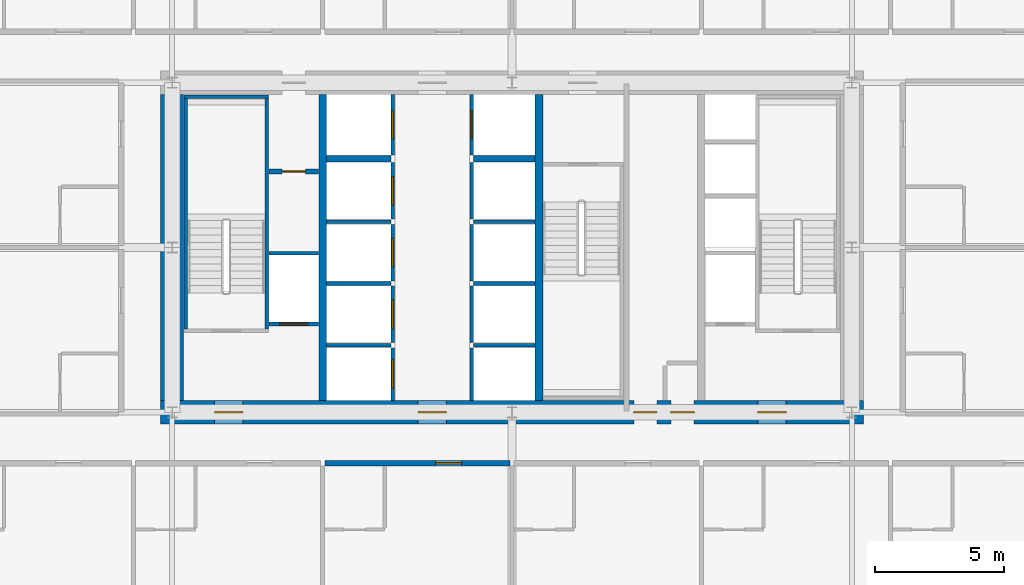
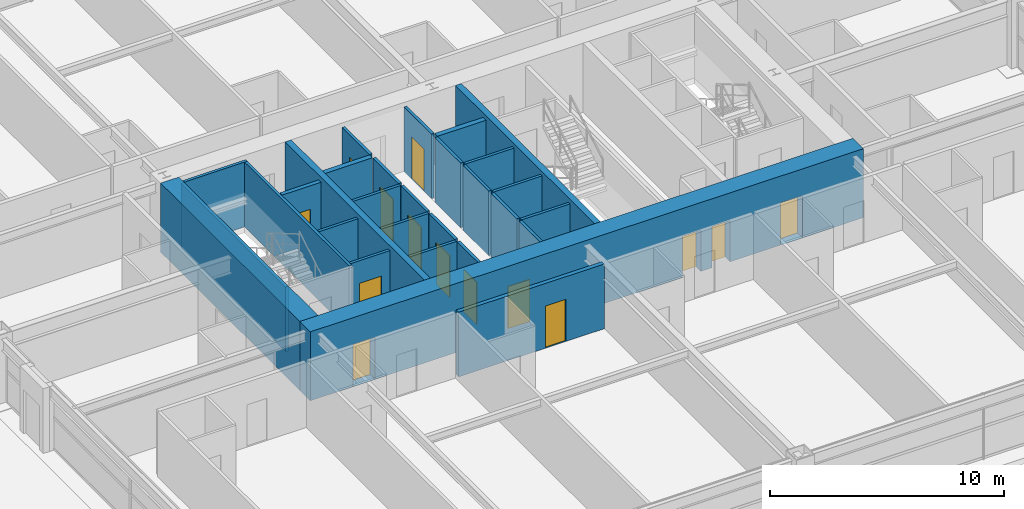
# One storey, part 39 of 45: 29 walls, 14 doors, 14 openings.
"""IFC4 building model written with IfcOpenShell, lengths in metres."""

from ifc_helpers import new_model, si_unit, direction, frame, frame_2d, origin, place, context, subcontext, project, spatial, rectangle, extrude, source, transform, mapped, material, layer, layer_set, type_object, element, fill, save


model = new_model("IFC4")

# Units and contexts
model_context = context("Model", 3, precision=1e-05, world=origin(), true_north=direction((0.0, 1.0)))
body_context = subcontext(model_context, "Body", "Model", "MODEL_VIEW")
ifc_project = project(units=[si_unit("LENGTHUNIT", "METRE"), si_unit("AREAUNIT", "SQUARE_METRE"), si_unit("VOLUMEUNIT", "CUBIC_METRE"), si_unit("PLANEANGLEUNIT", "RADIAN"), si_unit("MASSUNIT", "GRAM", prefix="KILO"), si_unit("THERMODYNAMICTEMPERATUREUNIT", "KELVIN"), si_unit("POWERUNIT", "WATT")], contexts=[model_context])

# Site, building, storey
site_placement = place(None, origin())
site = spatial("IfcSite", under=ifc_project, at=site_placement, CompositionType="ELEMENT")
building_placement = place(site_placement, origin())
building = spatial("IfcBuilding", under=site, at=building_placement, Name="Yuzanri Waterfront Tower", CompositionType="ELEMENT")
storey_placement = place(building_placement, frame((0.0, 0.0, 30.60009765625)))
storey = spatial("IfcBuildingStorey", under=building, at=storey_placement, Name="L07", CompositionType="ELEMENT", Elevation=30.60009765625)

# Wall, openings, doors
ifc_material_1 = material(Name="Concrete C60", Category="concrete")
ifc_layer_1 = layer(ifc_material_1, 0.89990234375)
ifc_layer_set_1 = layer_set([ifc_layer_1], Name="Concrete C60")
wall_type_1 = type_object("IfcWallType", Name="Concrete C60 Lower Zone Core Shear Wall 900", PredefinedType="SHEAR", material=ifc_layer_set_1)
wall_1_placement = place(storey_placement, frame((23.35009765625, 19.39990234375, 0.0), z_axis=(0.0, 0.0, 1.0), x_axis=(1.0, 0.0, 0.0)))
wall_1 = element("IfcWall", 1, at=wall_1_placement, inside=storey, type_object=wall_type_1, Name="L07 Core South Shear Wall", PredefinedType="SHEAR", context=body_context, shape_type="SweptSolid", body=[
    extrude(rectangle(XDim=27.2998046875, YDim=0.89990234375, at=frame_2d((13.64990234375, 0.0))), origin(), (0.0, 0.0, 1.0), 3.599853515625),
])
opening_1_placement = place(wall_1_placement, frame((2.10009765625, 0.0, 0.0)))
opening_1 = element("IfcOpeningElement", 2, at=opening_1_placement, cuts=wall_1, Name="Opening FD-1100", PredefinedType="OPENING", context=body_context, shape_type="SweptSolid", body=[
    extrude(rectangle(XDim=1.10009765625, YDim=2.199951171875, at=frame_2d((0.550048828125, 1.10009765625))), frame((0.0, 0.46484375, 0.0), z_axis=(0.0, -1.0, 0.0), x_axis=(1.0, 0.0, 0.0)), (0.0, 0.0, 1.0), 0.9296875),
])
opening_2_placement = place(wall_1_placement, frame((10.0, 0.0, 0.0)))
opening_2 = element("IfcOpeningElement", 3, at=opening_2_placement, cuts=wall_1, Name="Opening FD-1100", PredefinedType="OPENING", context=body_context, shape_type="SweptSolid", body=[
    extrude(rectangle(XDim=1.10009765625, YDim=2.199951171875, at=frame_2d((0.550048828125, 1.10009765625))), frame((0.0, 0.46484375, 0.0), z_axis=(0.0, -1.0, 0.0), x_axis=(1.0, 0.0, 0.0)), (0.0, 0.0, 1.0), 0.9296875),
])
opening_3_placement = place(wall_1_placement, frame((23.199951171875, 0.0, 0.0)))
opening_3 = element("IfcOpeningElement", 4, at=opening_3_placement, cuts=wall_1, Name="Opening FD-1100", PredefinedType="OPENING", context=body_context, shape_type="SweptSolid", body=[
    extrude(rectangle(XDim=1.10009765625, YDim=2.199951171875, at=frame_2d((0.550048828125, 1.10009765625))), frame((0.0, 0.46484375, 0.0), z_axis=(0.0, -1.0, 0.0), x_axis=(1.0, 0.0, 0.0)), (0.0, 0.0, 1.0), 0.9296875),
])
opening_4_placement = place(wall_1_placement, frame((19.820068359375, 0.0, 0.0)))
opening_4 = element("IfcOpeningElement", 5, at=opening_4_placement, cuts=wall_1, Name="Opening FD-0900", PredefinedType="OPENING", context=body_context, shape_type="SweptSolid", body=[
    extrude(rectangle(XDim=0.89990234375, YDim=2.14990234375, at=frame_2d((0.449951171875, 1.074951171875))), frame((0.0, 0.46484375, 0.0), z_axis=(0.0, -1.0, 0.0), x_axis=(1.0, 0.0, 0.0)), (0.0, 0.0, 1.0), 0.9296875),
])
opening_5_placement = place(wall_1_placement, frame((18.3798828125, 0.0, 0.0)))
opening_5 = element("IfcOpeningElement", 6, at=opening_5_placement, cuts=wall_1, Name="Opening FD-0900", PredefinedType="OPENING", context=body_context, shape_type="SweptSolid", body=[
    extrude(rectangle(XDim=0.89990234375, YDim=2.14990234375, at=frame_2d((0.449951171875, 1.074951171875))), frame((0.0, 0.46484375, 0.0), z_axis=(0.0, -1.0, 0.0), x_axis=(1.0, 0.0, 0.0)), (0.0, 0.0, 1.0), 0.9296875),
])
ifc_material_2 = material(Name="Painted Galvanized Fire Steel", Category="steel")
door_type_1 = type_object("IfcDoorType", Name="Smoke-Proof Stair and Lobby Fire Door 1100x2200", OperationType="NOTDEFINED", PredefinedType="DOOR", material=ifc_material_2)
shared_shape_1 = source(origin(), body_context, "Body", "SweptSolid", [
    extrude(rectangle(XDim=1.10009765625, YDim=2.199951171875, at=frame_2d((0.550048828125, 1.10009765625))), frame((0.0, 0.02490234375, 0.0), z_axis=(0.0, -1.0, 0.0), x_axis=(1.0, 0.0, 0.0)), (0.0, 0.0, 1.0), 0.050048828125),
])
door_1_placement = place(opening_1_placement, origin())
door_1 = element("IfcDoor", 7, at=door_1_placement, inside=storey, type_object=door_type_1, Name="L07 West Firefighting Lobby Door", OperationType="SINGLE_SWING_LEFT", OverallHeight=2.199951171875, OverallWidth=1.10009765625, PredefinedType="DOOR", context=body_context, shape_type="MappedRepresentation", body=[
    mapped(shared_shape_1, transform((0.0, 0.0, 0.0), scale=1.0)),
])
fill(opening_1, door_1)
door_2_placement = place(opening_2_placement, origin())
door_2 = element("IfcDoor", 8, at=door_2_placement, inside=storey, type_object=door_type_1, Name="L07 Central Lift Lobby South Door", OperationType="SINGLE_SWING_RIGHT", OverallHeight=2.199951171875, OverallWidth=1.10009765625, PredefinedType="DOOR", context=body_context, shape_type="MappedRepresentation", body=[
    mapped(shared_shape_1, transform((0.0, 0.0, 0.0), scale=1.0)),
])
fill(opening_2, door_2)
door_3_placement = place(opening_3_placement, origin())
door_3 = element("IfcDoor", 9, at=door_3_placement, inside=storey, type_object=door_type_1, Name="L07 East Firefighting Lobby Door", OperationType="SINGLE_SWING_LEFT", OverallHeight=2.199951171875, OverallWidth=1.10009765625, PredefinedType="DOOR", context=body_context, shape_type="MappedRepresentation", body=[
    mapped(shared_shape_1, transform((0.0, 0.0, 0.0), scale=1.0)),
])
fill(opening_3, door_3)
ifc_material_3 = material(Name="Painted Galvanized Fire Steel", Category="steel")
door_type_2 = type_object("IfcDoorType", Name="Riser and Service Room Fire Door 900x2150", OperationType="NOTDEFINED", PredefinedType="DOOR", material=ifc_material_3)
shared_shape_2 = source(origin(), body_context, "Body", "SweptSolid", [
    extrude(rectangle(XDim=0.89990234375, YDim=2.14990234375, at=frame_2d((0.449951171875, 1.074951171875))), frame((0.0, 0.02490234375, 0.0), z_axis=(0.0, -1.0, 0.0), x_axis=(1.0, 0.0, 0.0)), (0.0, 0.0, 1.0), 0.050048828125),
])
door_4_placement = place(opening_4_placement, origin())
door_4 = element("IfcDoor", 10, at=door_4_placement, inside=storey, type_object=door_type_2, Name="L07 East Wet Riser Door", OperationType="SINGLE_SWING_RIGHT", OverallHeight=2.14990234375, OverallWidth=0.89990234375, PredefinedType="DOOR", context=body_context, shape_type="MappedRepresentation", body=[
    mapped(shared_shape_2, transform((0.0, 0.0, 0.0), scale=1.0)),
])
fill(opening_4, door_4)
door_5_placement = place(opening_5_placement, origin())
door_5 = element("IfcDoor", 11, at=door_5_placement, inside=storey, type_object=door_type_2, Name="L07 Housekeeping Room", OperationType="SINGLE_SWING_LEFT", OverallHeight=2.14990234375, OverallWidth=0.89990234375, PredefinedType="DOOR", context=body_context, shape_type="MappedRepresentation", body=[
    mapped(shared_shape_2, transform((0.0, 0.0, 0.0), scale=1.0)),
])
fill(opening_5, door_5)

# Wall, opening, door
ifc_material_4 = material(Name="Concrete C40", Category="concrete")
ifc_layer_2 = layer(ifc_material_4, 0.139892578125)
ifc_layer_set_2 = layer_set([ifc_layer_2], Name="Concrete C40")
wall_type_2 = type_object("IfcWallType", Name="Core Stair Liner and Hoistway Shaft Wall 140", PredefinedType="SOLIDWALL", material=ifc_layer_set_2)
wall_2_placement = place(storey_placement, frame((27.56005859375, 22.830078125, 0.0), z_axis=(0.0, 0.0, 1.0), x_axis=(1.0, 0.0, 0.0)))
wall_2 = element("IfcWall", 12, at=wall_2_placement, inside=storey, type_object=wall_type_2, Name="L07 Lift FL-01 Front Shaft Wall", PredefinedType="SOLIDWALL", context=body_context, shape_type="SweptSolid", body=[
    extrude(rectangle(XDim=1.919921875, YDim=0.139892578125, at=frame_2d((0.9599609375, 0.0))), origin(), (0.0, 0.0, 1.0), 3.3798828125),
])
opening_6_placement = place(wall_2_placement, frame((0.409912109375, 0.0, 0.0)))
opening_6 = element("IfcOpeningElement", 13, at=opening_6_placement, cuts=wall_2, Name="Opening LD-FL-01", PredefinedType="OPENING", context=body_context, shape_type="SweptSolid", body=[
    extrude(rectangle(XDim=1.10009765625, YDim=2.199951171875, at=frame_2d((0.550048828125, 1.10009765625))), frame((0.0, 0.0849609375, 0.0), z_axis=(0.0, -1.0, 0.0), x_axis=(1.0, 0.0, 0.0)), (0.0, 0.0, 1.0), 0.169677734375),
])
ifc_material_5 = material(Name="Brushed Bronze and Stainless Steel Cab", Category="steel")
door_type_3 = type_object("IfcDoorType", Name="Center-Parting Bronze Lift Landing Sliding Door 1100x2200", OperationType="NOTDEFINED", PredefinedType="DOOR", material=ifc_material_5)
shared_shape_3 = source(origin(), body_context, "Body", "SweptSolid", [
    extrude(rectangle(XDim=1.10009765625, YDim=2.199951171875, at=frame_2d((0.550048828125, 1.10009765625))), frame((0.0, 0.02490234375, 0.0), z_axis=(0.0, -1.0, 0.0), x_axis=(1.0, 0.0, 0.0)), (0.0, 0.0, 1.0), 0.050048828125),
])
door_6_placement = place(opening_6_placement, origin())
door_6 = element("IfcDoor", 14, at=door_6_placement, inside=storey, type_object=door_type_3, Name="L07 FL-01 Lift Landing Sliding Door", OperationType="SLIDING_TO_LEFT", OverallHeight=2.199951171875, OverallWidth=1.10009765625, PredefinedType="DOOR", context=body_context, shape_type="MappedRepresentation", body=[
    mapped(shared_shape_3, transform((0.0, 0.0, 0.0), scale=1.0)),
])
fill(opening_6, door_6)

wall_3_placement = place(storey_placement, frame((32.3701171875, 19.860107421875, 0.0), z_axis=(0.0, 0.0, 1.0), x_axis=(0.0, 1.0, 0.0)))
wall_3 = element("IfcWall", 15, at=wall_3_placement, inside=storey, type_object=wall_type_2, Name="L07 Lift PL-01 Front Shaft Wall", PredefinedType="SOLIDWALL", context=body_context, shape_type="SweptSolid", body=[
    extrude(rectangle(XDim=2.039794921875, YDim=0.139892578125, at=frame_2d((1.02001953125, 0.0))), origin(), (0.0, 0.0, 1.0), 3.3798828125),
])
opening_7_placement = place(wall_3_placement, frame((0.469970703125, 0.0, 0.0)))
opening_7 = element("IfcOpeningElement", 16, at=opening_7_placement, cuts=wall_3, Name="Opening LD-PL-01", PredefinedType="OPENING", context=body_context, shape_type="SweptSolid", body=[
    extrude(rectangle(XDim=1.10009765625, YDim=2.199951171875, at=frame_2d((0.550048828125, 1.10009765625))), frame((0.0, 0.0849609375, 0.0), z_axis=(0.0, -1.0, 0.0), x_axis=(1.0, 0.0, 0.0)), (0.0, 0.0, 1.0), 0.169677734375),
])
door_7_placement = place(opening_7_placement, origin())
door_7 = element("IfcDoor", 17, at=door_7_placement, inside=storey, type_object=door_type_3, Name="L07 PL-01 Lift Landing Sliding Door", OperationType="SLIDING_TO_LEFT", OverallHeight=2.199951171875, OverallWidth=1.10009765625, PredefinedType="DOOR", context=body_context, shape_type="MappedRepresentation", body=[
    mapped(shared_shape_3, transform((0.0, 0.0, 0.0), scale=1.0)),
])
fill(opening_7, door_7)

wall_4_placement = place(storey_placement, frame((32.3701171875, 22.10009765625, 0.0), z_axis=(0.0, 0.0, 1.0), x_axis=(0.0, 1.0, 0.0)))
wall_4 = element("IfcWall", 18, at=wall_4_placement, inside=storey, type_object=wall_type_2, Name="L07 Lift PL-02 Front Shaft Wall", PredefinedType="SOLIDWALL", context=body_context, shape_type="SweptSolid", body=[
    extrude(rectangle(XDim=2.199951171875, YDim=0.139892578125, at=frame_2d((1.10009765625, 0.0))), origin(), (0.0, 0.0, 1.0), 3.3798828125),
])
opening_8_placement = place(wall_4_placement, frame((0.550048828125, 0.0, 0.0)))
opening_8 = element("IfcOpeningElement", 19, at=opening_8_placement, cuts=wall_4, Name="Opening LD-PL-02", PredefinedType="OPENING", context=body_context, shape_type="SweptSolid", body=[
    extrude(rectangle(XDim=1.10009765625, YDim=2.199951171875, at=frame_2d((0.550048828125, 1.10009765625))), frame((0.0, 0.0849609375, 0.0), z_axis=(0.0, -1.0, 0.0), x_axis=(1.0, 0.0, 0.0)), (0.0, 0.0, 1.0), 0.169677734375),
])
door_8_placement = place(opening_8_placement, origin())
door_8 = element("IfcDoor", 20, at=door_8_placement, inside=storey, type_object=door_type_3, Name="L07 PL-02 Lift Landing Sliding Door", OperationType="SLIDING_TO_RIGHT", OverallHeight=2.199951171875, OverallWidth=1.10009765625, PredefinedType="DOOR", context=body_context, shape_type="MappedRepresentation", body=[
    mapped(shared_shape_3, transform((0.0, 0.0, 0.0), scale=1.0)),
])
fill(opening_8, door_8)

wall_5_placement = place(storey_placement, frame((32.3701171875, 24.5, 0.0), z_axis=(0.0, 0.0, 1.0), x_axis=(0.0, 1.0, 0.0)))
wall_5 = element("IfcWall", 21, at=wall_5_placement, inside=storey, type_object=wall_type_2, Name="L07 Lift PL-03 Front Shaft Wall", PredefinedType="SOLIDWALL", context=body_context, shape_type="SweptSolid", body=[
    extrude(rectangle(XDim=2.199951171875, YDim=0.139892578125, at=frame_2d((1.10009765625, 0.0))), origin(), (0.0, 0.0, 1.0), 3.3798828125),
])
opening_9_placement = place(wall_5_placement, frame((0.550048828125, 0.0, 0.0)))
opening_9 = element("IfcOpeningElement", 22, at=opening_9_placement, cuts=wall_5, Name="Opening LD-PL-03", PredefinedType="OPENING", context=body_context, shape_type="SweptSolid", body=[
    extrude(rectangle(XDim=1.10009765625, YDim=2.199951171875, at=frame_2d((0.550048828125, 1.10009765625))), frame((0.0, 0.0849609375, 0.0), z_axis=(0.0, -1.0, 0.0), x_axis=(1.0, 0.0, 0.0)), (0.0, 0.0, 1.0), 0.169677734375),
])
door_9_placement = place(opening_9_placement, origin())
door_9 = element("IfcDoor", 23, at=door_9_placement, inside=storey, type_object=door_type_3, Name="L07 PL-03 Lift Landing Sliding Door", OperationType="SLIDING_TO_LEFT", OverallHeight=2.199951171875, OverallWidth=1.10009765625, PredefinedType="DOOR", context=body_context, shape_type="MappedRepresentation", body=[
    mapped(shared_shape_3, transform((0.0, 0.0, 0.0), scale=1.0)),
])
fill(opening_9, door_9)

wall_6_placement = place(storey_placement, frame((32.3701171875, 26.89990234375, 0.0), z_axis=(0.0, 0.0, 1.0), x_axis=(0.0, 1.0, 0.0)))
wall_6 = element("IfcWall", 24, at=wall_6_placement, inside=storey, type_object=wall_type_2, Name="L07 Lift PL-04 Front Shaft Wall", PredefinedType="SOLIDWALL", context=body_context, shape_type="SweptSolid", body=[
    extrude(rectangle(XDim=2.2001953125, YDim=0.139892578125, at=frame_2d((1.10009765625, 0.0))), origin(), (0.0, 0.0, 1.0), 3.3798828125),
])
opening_10_placement = place(wall_6_placement, frame((0.550048828125, 0.0, 0.0)))
opening_10 = element("IfcOpeningElement", 25, at=opening_10_placement, cuts=wall_6, Name="Opening LD-PL-04", PredefinedType="OPENING", context=body_context, shape_type="SweptSolid", body=[
    extrude(rectangle(XDim=1.10009765625, YDim=2.199951171875, at=frame_2d((0.550048828125, 1.10009765625))), frame((0.0, 0.0849609375, 0.0), z_axis=(0.0, -1.0, 0.0), x_axis=(1.0, 0.0, 0.0)), (0.0, 0.0, 1.0), 0.169677734375),
])
door_10_placement = place(opening_10_placement, origin())
door_10 = element("IfcDoor", 26, at=door_10_placement, inside=storey, type_object=door_type_3, Name="L07 PL-04 Lift Landing Sliding Door", OperationType="SLIDING_TO_RIGHT", OverallHeight=2.199951171875, OverallWidth=1.10009765625, PredefinedType="DOOR", context=body_context, shape_type="MappedRepresentation", body=[
    mapped(shared_shape_3, transform((0.0, 0.0, 0.0), scale=1.0)),
])
fill(opening_10, door_10)

wall_7_placement = place(storey_placement, frame((32.3701171875, 29.39990234375, 0.0), z_axis=(0.0, 0.0, 1.0), x_axis=(0.0, 1.0, 0.0)))
wall_7 = element("IfcWall", 27, at=wall_7_placement, inside=storey, type_object=wall_type_2, Name="L07 Lift SL-01 Front Shaft Wall", PredefinedType="SOLIDWALL", context=body_context, shape_type="SweptSolid", body=[
    extrude(rectangle(XDim=2.340087890625, YDim=0.139892578125, at=frame_2d((1.169921875, 0.0))), origin(), (0.0, 0.0, 1.0), 3.3798828125),
])
opening_11_placement = place(wall_7_placement, frame((0.6201171875, 0.0, 0.0)))
opening_11 = element("IfcOpeningElement", 28, at=opening_11_placement, cuts=wall_7, Name="Opening LD-SL-01", PredefinedType="OPENING", context=body_context, shape_type="SweptSolid", body=[
    extrude(rectangle(XDim=1.10009765625, YDim=2.199951171875, at=frame_2d((0.550048828125, 1.10009765625))), frame((0.0, 0.0849609375, 0.0), z_axis=(0.0, -1.0, 0.0), x_axis=(1.0, 0.0, 0.0)), (0.0, 0.0, 1.0), 0.169677734375),
])
door_11_placement = place(opening_11_placement, origin())
door_11 = element("IfcDoor", 29, at=door_11_placement, inside=storey, type_object=door_type_3, Name="L07 SL-01 Lift Landing Sliding Door", OperationType="SLIDING_TO_LEFT", OverallHeight=2.199951171875, OverallWidth=1.10009765625, PredefinedType="DOOR", context=body_context, shape_type="MappedRepresentation", body=[
    mapped(shared_shape_3, transform((0.0, 0.0, 0.0), scale=1.0)),
])
fill(opening_11, door_11)

wall_8_placement = place(storey_placement, frame((35.429931640625, 29.39990234375, 0.0), z_axis=(0.0, 0.0, 1.0), x_axis=(0.0, 1.0, 0.0)))
wall_8 = element("IfcWall", 30, at=wall_8_placement, inside=storey, type_object=wall_type_2, Name="L07 Lift SL-02 Front Shaft Wall", PredefinedType="SOLIDWALL", context=body_context, shape_type="SweptSolid", body=[
    extrude(rectangle(XDim=2.340087890625, YDim=0.139892578125, at=frame_2d((1.169921875, 0.0))), origin(), (0.0, 0.0, 1.0), 3.3798828125),
])
opening_12_placement = place(wall_8_placement, frame((0.6201171875, 0.0, 0.0)))
opening_12 = element("IfcOpeningElement", 31, at=opening_12_placement, cuts=wall_8, Name="Opening LD-SL-02", PredefinedType="OPENING", context=body_context, shape_type="SweptSolid", body=[
    extrude(rectangle(XDim=1.10009765625, YDim=2.199951171875, at=frame_2d((0.550048828125, 1.10009765625))), frame((0.0, 0.0849609375, 0.0), z_axis=(0.0, -1.0, 0.0), x_axis=(1.0, 0.0, 0.0)), (0.0, 0.0, 1.0), 0.169677734375),
])
door_12_placement = place(opening_12_placement, origin())
door_12 = element("IfcDoor", 32, at=door_12_placement, inside=storey, type_object=door_type_3, Name="L07 SL-02 Lift Landing Sliding Door", OperationType="SLIDING_TO_RIGHT", OverallHeight=2.199951171875, OverallWidth=1.10009765625, PredefinedType="DOOR", context=body_context, shape_type="MappedRepresentation", body=[
    mapped(shared_shape_3, transform((0.0, 0.0, 0.0), scale=1.0)),
])
fill(opening_12, door_12)

ifc_material_6 = material(Name="Autoclaved Aerated Concrete Blockwork", Category="masonry")
ifc_layer_3 = layer(ifc_material_6, 0.199951171875)
ifc_layer_set_3 = layer_set([ifc_layer_3], Name="Autoclaved Aerated Concrete Blockwork")
wall_type_3 = type_object("IfcWallType", Name="Corridor and Unit Party Fire Wall 200", PredefinedType="PARTITIONING", material=ifc_layer_set_3)
wall_9_placement = place(storey_placement, frame((27.56005859375, 28.75, 0.0), z_axis=(0.0, 0.0, 1.0), x_axis=(1.0, 0.0, 0.0)))
wall_9 = element("IfcWall", 33, at=wall_9_placement, inside=storey, type_object=wall_type_3, Name="L07 Partition CRW-L07-ERTR", PredefinedType="PARTITIONING", context=body_context, shape_type="SweptSolid", body=[
    extrude(rectangle(XDim=1.919921875, YDim=0.199951171875, at=frame_2d((0.9599609375, 0.0))), origin(), (0.0, 0.0, 1.0), 3.3798828125),
])
opening_13_placement = place(wall_9_placement, frame((0.510009765625, 0.0, 0.0)))
opening_13 = element("IfcOpeningElement", 34, at=opening_13_placement, cuts=wall_9, Name="Opening FD-0900", PredefinedType="OPENING", context=body_context, shape_type="SweptSolid", body=[
    extrude(rectangle(XDim=0.89990234375, YDim=2.14990234375, at=frame_2d((0.449951171875, 1.074951171875))), frame((0.0, 0.11474609375, 0.0), z_axis=(0.0, -1.0, 0.0), x_axis=(1.0, 0.0, 0.0)), (0.0, 0.0, 1.0), 0.229736328125),
])
door_13_placement = place(opening_13_placement, origin())
door_13 = element("IfcDoor", 35, at=door_13_placement, inside=storey, type_object=door_type_2, Name="L07 Electrical Riser Door", OperationType="SINGLE_SWING_LEFT", OverallHeight=2.14990234375, OverallWidth=0.89990234375, PredefinedType="DOOR", context=body_context, shape_type="MappedRepresentation", body=[
    mapped(shared_shape_2, transform((0.0, 0.0, 0.0), scale=1.0)),
])
fill(opening_13, door_13)

wall_10_placement = place(storey_placement, frame((29.72705078125, 17.419921875, 0.0), z_axis=(0.0, 0.0, 1.0), x_axis=(1.0, 0.0, 0.0)))
wall_10 = element("IfcWall", 36, at=wall_10_placement, inside=storey, type_object=wall_type_3, Name="L07 Partition UW-L07-S3-CN", PredefinedType="PARTITIONING", context=body_context, shape_type="SweptSolid", body=[
    extrude(rectangle(XDim=7.19287109375, YDim=0.199951171875, at=frame_2d((3.596435546875, 0.0))), origin(), (0.0, 0.0, 1.0), 3.3798828125),
])
opening_14_placement = place(wall_10_placement, frame((4.302001953125, 0.0, 0.0)))
opening_14 = element("IfcOpeningElement", 37, at=opening_14_placement, cuts=wall_10, Name="Opening FD-1000", PredefinedType="OPENING", context=body_context, shape_type="SweptSolid", body=[
    extrude(rectangle(XDim=1.0, YDim=2.199951171875, at=frame_2d((0.5, 1.10009765625))), frame((0.0, 0.11474609375, 0.0), z_axis=(0.0, -1.0, 0.0), x_axis=(1.0, 0.0, 0.0)), (0.0, 0.0, 1.0), 0.229736328125),
])
ifc_material_7 = material(Name="Engineered Oak Fire-Rated Timber", Category="wood")
door_type_4 = type_object("IfcDoorType", Name="Guestroom and Apartment Entrance Fire Door 1000x2200", OperationType="NOTDEFINED", PredefinedType="DOOR", material=ifc_material_7)
shared_shape_4 = source(origin(), body_context, "Body", "SweptSolid", [
    extrude(rectangle(XDim=1.0, YDim=2.199951171875, at=frame_2d((0.5, 1.10009765625))), frame((0.0, 0.02490234375, 0.0), z_axis=(0.0, -1.0, 0.0), x_axis=(1.0, 0.0, 0.0)), (0.0, 0.0, 1.0), 0.050048828125),
])
door_14_placement = place(opening_14_placement, origin())
door_14 = element("IfcDoor", 38, at=door_14_placement, inside=storey, type_object=door_type_4, Name="L07 Premier King Junior Suite Entrance Door", OperationType="SINGLE_SWING_RIGHT", OverallHeight=2.199951171875, OverallWidth=1.0, PredefinedType="DOOR", context=body_context, shape_type="MappedRepresentation", body=[
    mapped(shared_shape_4, transform((0.0, 0.0, 0.0), scale=1.0)),
])
fill(opening_14, door_14)

# Walls
shared_shape_5 = source(origin(), body_context, "Body", "SweptSolid", [
    extrude(rectangle(XDim=11.89990234375, YDim=0.89990234375, at=frame_2d((5.949951171875, 0.0))), origin(), (0.0, 0.0, 1.0), 3.599853515625),
])
wall_11_placement = place(storey_placement, frame((23.800048828125, 19.85009765625, 0.0), z_axis=(0.0, 0.0, 1.0), x_axis=(0.0, 1.0, 0.0)))
element("IfcWall", 39, at=wall_11_placement, inside=storey, type_object=wall_type_1, Name="L07 Core West Shear Wall", PredefinedType="SHEAR", context=body_context, shape_type="MappedRepresentation", body=[
    mapped(shared_shape_5, transform((0.0, 0.0, 0.0), scale=1.0)),
])
ifc_material_8 = material(Name="Concrete C50", Category="concrete")
ifc_layer_4 = layer(ifc_material_8, 0.300048828125)
ifc_layer_set_4 = layer_set([ifc_layer_4], Name="Concrete C50")
wall_type_4 = type_object("IfcWallType", Name="Concrete C50 Internal Core Shaft Structural Wall 300", PredefinedType="SOLIDWALL", material=ifc_layer_set_4)
shared_shape_6 = source(origin(), body_context, "Body", "SweptSolid", [
    extrude(rectangle(XDim=11.89990234375, YDim=0.300048828125, at=frame_2d((5.949951171875, 0.0))), origin(), (0.0, 0.0, 1.0), 3.599853515625),
])
for number, where, z_axis, x_axis, name in (
    (40, (29.64990234375, 19.85009765625, 0.0), (0.0, 0.0, 1.0), (0.0, 1.0, 0.0), "L07 Core Internal Structural Web Wall 1"),
    (41, (38.050048828125, 19.85009765625, 0.0), (0.0, 0.0, 1.0), (0.0, 1.0, 0.0), "L07 Core Internal Structural Web Wall 2"),
):
    element("IfcWall", number, at=place(storey_placement, frame(where, z_axis=z_axis, x_axis=x_axis)), inside=storey, type_object=wall_type_4, Name=name, PredefinedType="SOLIDWALL", context=body_context, shape_type="MappedRepresentation", body=[
        mapped(shared_shape_6, transform((0.0, 0.0, 0.0), scale=1.0)),
    ])
shared_shape_7 = source(origin(), body_context, "Body", "SweptSolid", [
    extrude(rectangle(XDim=1.919921875, YDim=0.139892578125, at=frame_2d((0.9599609375, 0.0))), origin(), (0.0, 0.0, 1.0), 3.3798828125),
])
wall_12_placement = place(storey_placement, frame((27.56005859375, 25.570068359375, 0.0), z_axis=(0.0, 0.0, 1.0), x_axis=(1.0, 0.0, 0.0)))
element("IfcWall", 42, at=wall_12_placement, inside=storey, type_object=wall_type_2, Name="L07 Lift FL-01 Back Shaft Wall", PredefinedType="SOLIDWALL", context=body_context, shape_type="MappedRepresentation", body=[
    mapped(shared_shape_7, transform((0.0, 0.0, 0.0), scale=1.0)),
])
shared_shape_8 = source(origin(), body_context, "Body", "SweptSolid", [
    extrude(rectangle(XDim=2.5, YDim=0.139892578125, at=frame_2d((1.25, 0.0))), origin(), (0.0, 0.0, 1.0), 3.3798828125),
])
for number, where, z_axis, x_axis, name in (
    (43, (29.800048828125, 22.0, 0.0), (0.0, 0.0, 1.0), (1.0, 0.0, 0.0), "L07 Lift PL-01 Divider Wall"),
    (44, (29.800048828125, 24.39990234375, 0.0), (0.0, 0.0, 1.0), (1.0, 0.0, 0.0), "L07 Lift PL-02 Divider Wall"),
    (45, (29.800048828125, 26.800048828125, 0.0), (0.0, 0.0, 1.0), (1.0, 0.0, 0.0), "L07 Lift PL-03 Divider Wall"),
):
    element("IfcWall", number, at=place(storey_placement, frame(where, z_axis=z_axis, x_axis=x_axis)), inside=storey, type_object=wall_type_2, Name=name, PredefinedType="SOLIDWALL", context=body_context, shape_type="MappedRepresentation", body=[
        mapped(shared_shape_8, transform((0.0, 0.0, 0.0), scale=1.0)),
    ])
ifc_material_9 = material(Name="Concrete C40", Category="concrete")
ifc_layer_5 = layer(ifc_material_9, 0.25)
ifc_layer_set_5 = layer_set([ifc_layer_5], Name="Concrete C40")
wall_type_5 = type_object("IfcWallType", Name="Smoke-Proof Stair and Lift Shaft Wall 250", PredefinedType="SOLIDWALL", material=ifc_layer_set_5)
shared_shape_9 = source(origin(), body_context, "Body", "SweptSolid", [
    extrude(rectangle(XDim=2.5, YDim=0.25, at=frame_2d((1.25, 0.0))), origin(), (0.0, 0.0, 1.0), 3.3798828125),
])
wall_13_placement = place(storey_placement, frame((29.800048828125, 29.25, 0.0), z_axis=(0.0, 0.0, 1.0), x_axis=(1.0, 0.0, 0.0)))
element("IfcWall", 46, at=wall_13_placement, inside=storey, type_object=wall_type_5, Name="L07 Lift SL-01 South Shaft Wall", PredefinedType="SOLIDWALL", context=body_context, shape_type="MappedRepresentation", body=[
    mapped(shared_shape_9, transform((0.0, 0.0, 0.0), scale=1.0)),
])
shared_shape_10 = source(origin(), body_context, "Body", "SweptSolid", [
    extrude(rectangle(XDim=2.039794921875, YDim=0.139892578125, at=frame_2d((1.02001953125, 0.0))), origin(), (0.0, 0.0, 1.0), 3.3798828125),
])
wall_14_placement = place(storey_placement, frame((35.429931640625, 19.860107421875, 0.0), z_axis=(0.0, 0.0, 1.0), x_axis=(0.0, 1.0, 0.0)))
element("IfcWall", 47, at=wall_14_placement, inside=storey, type_object=wall_type_2, Name="L07 Lift PL-05 Front Shaft Wall", PredefinedType="SOLIDWALL", context=body_context, shape_type="MappedRepresentation", body=[
    mapped(shared_shape_10, transform((0.0, 0.0, 0.0), scale=1.0)),
])
shared_shape_11 = source(origin(), body_context, "Body", "SweptSolid", [
    extrude(rectangle(XDim=2.39990234375, YDim=0.139892578125, at=frame_2d((1.199951171875, 0.0))), origin(), (0.0, 0.0, 1.0), 3.3798828125),
])
for number, where, z_axis, x_axis, name in (
    (48, (35.5, 22.0, 0.0), (0.0, 0.0, 1.0), (1.0, 0.0, 0.0), "L07 Lift PL-05 Divider Wall"),
    (49, (35.5, 24.39990234375, 0.0), (0.0, 0.0, 1.0), (1.0, 0.0, 0.0), "L07 Lift PL-06 Divider Wall"),
    (50, (35.5, 26.800048828125, 0.0), (0.0, 0.0, 1.0), (1.0, 0.0, 0.0), "L07 Lift PL-07 Divider Wall"),
):
    element("IfcWall", number, at=place(storey_placement, frame(where, z_axis=z_axis, x_axis=x_axis)), inside=storey, type_object=wall_type_2, Name=name, PredefinedType="SOLIDWALL", context=body_context, shape_type="MappedRepresentation", body=[
        mapped(shared_shape_11, transform((0.0, 0.0, 0.0), scale=1.0)),
    ])
shared_shape_12 = source(origin(), body_context, "Body", "SweptSolid", [
    extrude(rectangle(XDim=2.199951171875, YDim=0.139892578125, at=frame_2d((1.10009765625, 0.0))), origin(), (0.0, 0.0, 1.0), 3.3798828125),
])
for number, where, z_axis, x_axis, name in (
    (51, (35.429931640625, 22.10009765625, 0.0), (0.0, 0.0, 1.0), (0.0, 1.0, 0.0), "L07 Lift PL-06 Front Shaft Wall"),
    (52, (35.429931640625, 24.5, 0.0), (0.0, 0.0, 1.0), (0.0, 1.0, 0.0), "L07 Lift PL-07 Front Shaft Wall"),
):
    element("IfcWall", number, at=place(storey_placement, frame(where, z_axis=z_axis, x_axis=x_axis)), inside=storey, type_object=wall_type_2, Name=name, PredefinedType="SOLIDWALL", context=body_context, shape_type="MappedRepresentation", body=[
        mapped(shared_shape_12, transform((0.0, 0.0, 0.0), scale=1.0)),
    ])
shared_shape_13 = source(origin(), body_context, "Body", "SweptSolid", [
    extrude(rectangle(XDim=2.2001953125, YDim=0.139892578125, at=frame_2d((1.10009765625, 0.0))), origin(), (0.0, 0.0, 1.0), 3.3798828125),
])
wall_15_placement = place(storey_placement, frame((35.429931640625, 26.89990234375, 0.0), z_axis=(0.0, 0.0, 1.0), x_axis=(0.0, 1.0, 0.0)))
element("IfcWall", 53, at=wall_15_placement, inside=storey, type_object=wall_type_2, Name="L07 Lift PL-08 Front Shaft Wall", PredefinedType="SOLIDWALL", context=body_context, shape_type="MappedRepresentation", body=[
    mapped(shared_shape_13, transform((0.0, 0.0, 0.0), scale=1.0)),
])
shared_shape_14 = source(origin(), body_context, "Body", "SweptSolid", [
    extrude(rectangle(XDim=2.39990234375, YDim=0.25, at=frame_2d((1.199951171875, 0.0))), origin(), (0.0, 0.0, 1.0), 3.3798828125),
])
wall_16_placement = place(storey_placement, frame((35.5, 29.25, 0.0), z_axis=(0.0, 0.0, 1.0), x_axis=(1.0, 0.0, 0.0)))
element("IfcWall", 54, at=wall_16_placement, inside=storey, type_object=wall_type_5, Name="L07 Lift SL-02 South Shaft Wall", PredefinedType="SOLIDWALL", context=body_context, shape_type="MappedRepresentation", body=[
    mapped(shared_shape_14, transform((0.0, 0.0, 0.0), scale=1.0)),
])
shared_shape_15 = source(origin(), body_context, "Body", "SweptSolid", [
    extrude(rectangle(XDim=3.280029296875, YDim=0.139892578125, at=frame_2d((1.64013671875, 0.0))), origin(), (0.0, 0.0, 1.0), 3.3798828125),
])
wall_17_placement = place(storey_placement, frame((24.260009765625, 31.64990234375, 0.0), z_axis=(0.0, 0.0, 1.0), x_axis=(1.0, 0.0, 0.0)))
element("IfcWall", 55, at=wall_17_placement, inside=storey, type_object=wall_type_2, Name="L07 Stair ST-01 North Shaft Wall", PredefinedType="SOLIDWALL", context=body_context, shape_type="MappedRepresentation", body=[
    mapped(shared_shape_15, transform((0.0, 0.0, 0.0), scale=1.0)),
])
shared_shape_16 = source(origin(), body_context, "Body", "SweptSolid", [
    extrude(rectangle(XDim=8.940185546875, YDim=0.139892578125, at=frame_2d((4.47021484375, 0.0))), origin(), (0.0, 0.0, 1.0), 3.3798828125),
])
for number, where, z_axis, x_axis, name in (
    (56, (24.330078125, 22.639892578125, 0.0), (0.0, 0.0, 1.0), (0.0, 1.0, 0.0), "L07 Stair ST-01 West Shaft Wall"),
    (57, (27.469970703125, 22.639892578125, 0.0), (0.0, 0.0, 1.0), (0.0, 1.0, 0.0), "L07 Stair ST-01 East Shaft Wall"),
):
    element("IfcWall", number, at=place(storey_placement, frame(where, z_axis=z_axis, x_axis=x_axis)), inside=storey, type_object=wall_type_2, Name=name, PredefinedType="SOLIDWALL", context=body_context, shape_type="MappedRepresentation", body=[
        mapped(shared_shape_16, transform((0.0, 0.0, 0.0), scale=1.0)),
    ])

save(model, "model.ifc")
